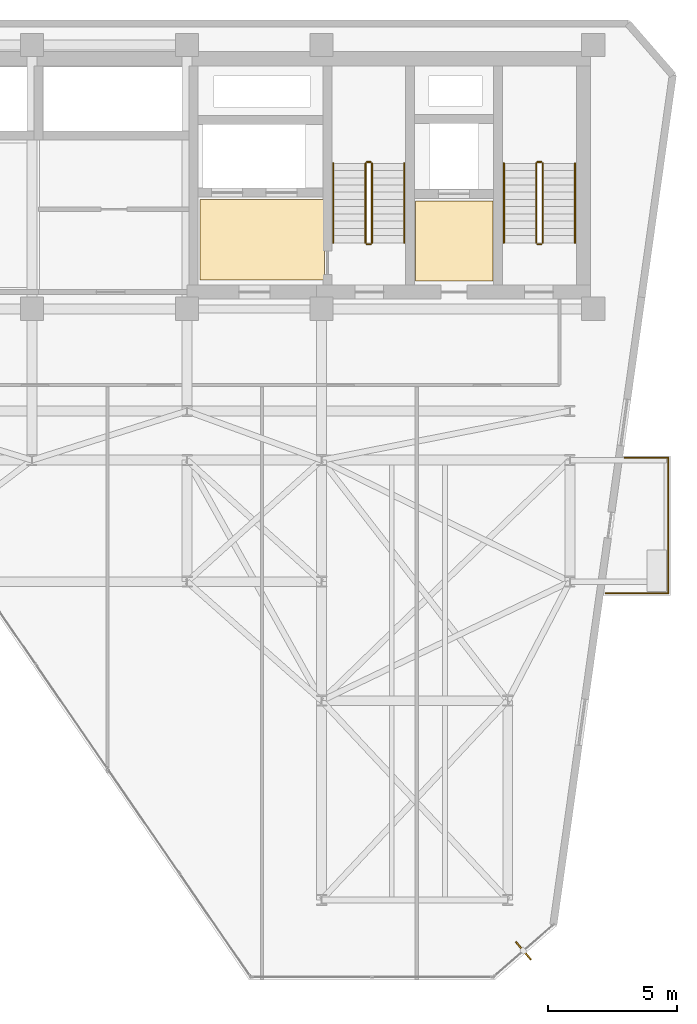
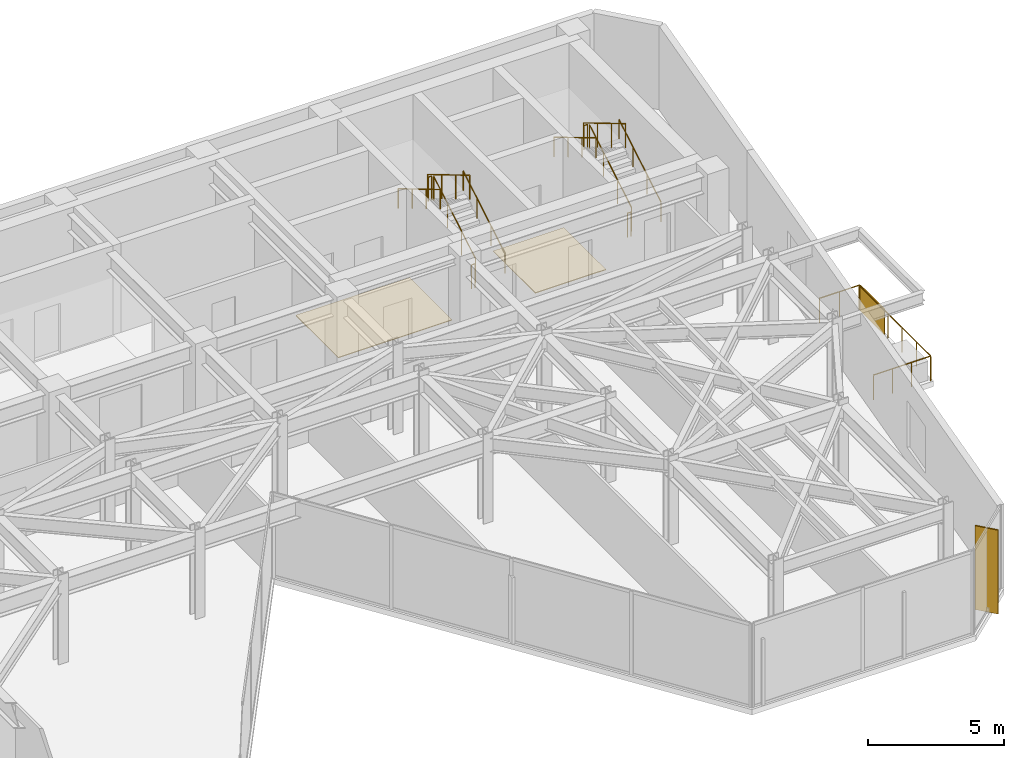
# One storey, part 26 of 26: 15 railings, 2 coverings, 2 shading devices.
"""IFC4 building model written with IfcOpenShell, lengths in metres."""

from ifc_helpers import new_model, si_unit, direction, frame, origin, origin_2d, place, context, subcontext, project, spatial, polyline, rectangle, circle, outline, extrude, material, layer, layer_set, type_object, element, save


model = new_model("IFC4")

# Units and contexts
model_context = context("Model", 3, precision=1e-05, world=origin(), true_north=direction((0.0, 1.0)))
body_context = subcontext(model_context, "Body", "Model", "MODEL_VIEW")
ifc_project = project(units=[si_unit("LENGTHUNIT", "METRE"), si_unit("AREAUNIT", "SQUARE_METRE"), si_unit("VOLUMEUNIT", "CUBIC_METRE"), si_unit("PLANEANGLEUNIT", "RADIAN"), si_unit("MASSUNIT", "GRAM", prefix="KILO")], contexts=[model_context])

# Site, building, storey
site_placement = place(None, origin())
site = spatial("IfcSite", under=ifc_project, at=site_placement, CompositionType="ELEMENT")
building_placement = place(site_placement, origin())
building = spatial("IfcBuilding", under=site, at=building_placement, Name="Kravanh Interchange Tower", CompositionType="ELEMENT")
storey_placement = place(building_placement, frame((0.0, 0.0, 172.5)))
storey = spatial("IfcBuildingStorey", under=building, at=storey_placement, Name="L41", CompositionType="ELEMENT", Elevation=172.5)

# Coverings
ifc_material_1 = material(Name="Cementitious Terrazzo Tile")
ifc_layer_1 = layer(ifc_material_1, 0.030029296875)
ifc_layer_set_1 = layer_set([ifc_layer_1], Name="Honed Terrazzo Lobby Flooring 30mm")
covering_type = type_object("IfcCoveringType", Name="Honed Terrazzo Lobby Flooring 30mm", PredefinedType="FLOORING", material=ifc_layer_set_1)
covering_1_placement = place(storey_placement, origin())
element("IfcCovering", 1, at=covering_1_placement, inside=storey, type_object=covering_type, Name="L41 Service Lift Lobby Floor Finish", PredefinedType="FLOORING", context=body_context, shape_type="SweptSolid", body=[
    extrude(outline(polyline([(59.6298828125, 41.52001953125), (62.6201171875, 41.52001953125), (62.6201171875, 38.429931640625), (59.6298828125, 38.429931640625), (59.6298828125, 41.52001953125)])), origin(), (0.0, 0.0, 1.0), 0.030029296875),
])
covering_2_placement = place(storey_placement, origin())
element("IfcCovering", 2, at=covering_2_placement, inside=storey, type_object=covering_type, Name="L41 Firefighting Lobby Floor Finish", PredefinedType="FLOORING", context=body_context, shape_type="SweptSolid", body=[
    extrude(outline(polyline([(56.1201171875, 38.4599609375), (51.300048828125, 38.4599609375), (51.300048828125, 41.580078125), (56.1201171875, 41.580078125), (56.1201171875, 38.4599609375)])), origin(), (0.0, 0.0, 1.0), 0.030029296875),
])

# Shading device
ifc_material_2 = material(Name="Perforated Anodised Bronze Aluminium", Category="aluminium")
ifc_layer_2 = layer(ifc_material_2, 0.0400390625)
ifc_layer_set_2 = layer_set([ifc_layer_2], Name="Perforated Bronze Balcony Privacy Screen 1150mm")
shading_device_type_1 = type_object("IfcShadingDeviceType", Name="Perforated Bronze Balcony Privacy Screen 1150mm", PredefinedType="USERDEFINED", material=ifc_layer_set_2)
shading_device_1_placement = place(storey_placement, frame((69.405029296875, 30.6201171875, 0.0), z_axis=(0.0, 0.0, 1.0), x_axis=(1.0, 0.0, 0.0)))
element("IfcShadingDevice", 3, at=shading_device_1_placement, inside=storey, type_object=shading_device_type_1, Name="L41 E Perforated Bronze BALCONY SCREEN", ObjectType="SCREEN", PredefinedType="USERDEFINED", context=body_context, shape_type="SweptSolid", body=[
    extrude(rectangle(XDim=0.0400390625, YDim=1.800048828125, at=origin_2d()), origin(), (0.0, 0.0, 1.0), 1.14990234375),
])

# Railings
ifc_material_3 = material(Name="Stainless Steel 316", Category="steel")
ifc_layer_3 = layer(ifc_material_3, 0.06005859375)
ifc_layer_set_3 = layer_set([ifc_layer_3], Name="Perimeter Balcony and Terrace Guardrail Stainless 316 1120mm")
railing_type_1 = type_object("IfcRailingType", Name="Perimeter Balcony and Terrace Guardrail Stainless 316 1120mm", PredefinedType="GUARDRAIL", material=ifc_layer_set_3)
railing_1_placement = place(storey_placement, frame((69.405029296875, 31.590087890625, 0.0)))
element("IfcRailing", 4, at=railing_1_placement, inside=storey, type_object=railing_type_1, Name="L41 E Balcony Guardrail 1", PredefinedType="GUARDRAIL", context=body_context, shape_type="SweptSolid", body=[
    extrude(circle(Radius=0.02392578125, at=origin_2d()), frame((0.0, 0.0, 1.09619140625), z_axis=(0.0, -1.0, 0.0), x_axis=(1.0, 0.0, 0.0)), (0.0, 0.0, 1.0), 5.239990234375),
    extrude(circle(Radius=0.02099609375, at=origin_2d()), origin(), (0.0, 0.0, 1.0), 1.072021484375),
    extrude(circle(Radius=0.02099609375, at=origin_2d()), frame((0.0, -1.048095703125, 0.0)), (0.0, 0.0, 1.0), 1.072021484375),
    extrude(circle(Radius=0.02099609375, at=origin_2d()), frame((0.0, -2.095947265625, 0.0)), (0.0, 0.0, 1.0), 1.072021484375),
    extrude(circle(Radius=0.02099609375, at=origin_2d()), frame((0.0, -3.14404296875, 0.0)), (0.0, 0.0, 1.0), 1.072021484375),
    extrude(circle(Radius=0.02099609375, at=origin_2d()), frame((0.0, -4.19189453125, 0.0)), (0.0, 0.0, 1.0), 1.072021484375),
    extrude(circle(Radius=0.02099609375, at=origin_2d()), frame((0.0, -5.239990234375, 0.0)), (0.0, 0.0, 1.0), 1.072021484375),
])
railing_2_placement = place(storey_placement, frame((69.405029296875, 26.35009765625, 0.0)))
element("IfcRailing", 5, at=railing_2_placement, inside=storey, type_object=railing_type_1, Name="L41 E Balcony Guardrail 2", PredefinedType="GUARDRAIL", context=body_context, shape_type="SweptSolid", body=[
    extrude(circle(Radius=0.02392578125, at=origin_2d()), frame((0.0, 0.0, 1.09619140625), z_axis=(-1.0, 0.0, 0.0), x_axis=(0.0, -1.0, 0.0)), (0.0, 0.0, 1.0), 2.422119140625),
    extrude(circle(Radius=0.02099609375, at=origin_2d()), origin(), (0.0, 0.0, 1.0), 1.072021484375),
    extrude(circle(Radius=0.02099609375, at=origin_2d()), frame((-0.807373046875, 0.0, 0.0)), (0.0, 0.0, 1.0), 1.072021484375),
    extrude(circle(Radius=0.02099609375, at=origin_2d()), frame((-1.61474609375, 0.0, 0.0)), (0.0, 0.0, 1.0), 1.072021484375),
    extrude(circle(Radius=0.02099609375, at=origin_2d()), frame((-2.422119140625, 0.0, 0.0)), (0.0, 0.0, 1.0), 1.072021484375),
])
railing_3_placement = place(storey_placement, frame((67.71923828125, 31.590087890625, 0.0)))
element("IfcRailing", 6, at=railing_3_placement, inside=storey, type_object=railing_type_1, Name="L41 E Balcony Guardrail 3", PredefinedType="GUARDRAIL", context=body_context, shape_type="SweptSolid", body=[
    extrude(circle(Radius=0.02392578125, at=origin_2d()), frame((0.0, 0.0, 1.09619140625), z_axis=(1.0, 0.0, 0.0), x_axis=(0.0, 1.0, 0.0)), (0.0, 0.0, 1.0), 1.685791015625),
    extrude(circle(Radius=0.02099609375, at=origin_2d()), origin(), (0.0, 0.0, 1.0), 1.072021484375),
    extrude(circle(Radius=0.02099609375, at=origin_2d()), frame((0.8427734375, 0.0, 0.0)), (0.0, 0.0, 1.0), 1.072021484375),
    extrude(circle(Radius=0.02099609375, at=origin_2d()), frame((1.685791015625, 0.0, 0.0)), (0.0, 0.0, 1.0), 1.072021484375),
])
ifc_material_4 = material(Name="Structural Steel S355", Category="steel")
ifc_layer_4 = layer(ifc_material_4, 0.050048828125)
ifc_layer_set_4 = layer_set([ifc_layer_4], Name="Stair Well Guardrail Structural Steel S355 1100mm")
railing_type_2 = type_object("IfcRailingType", Name="Stair Well Guardrail Structural Steel S355 1100mm", PredefinedType="GUARDRAIL", material=ifc_layer_set_4)
railing_4_placement = place(storey_placement, frame((64.550048828125, 39.89990234375, 0.166748046875)))
element("IfcRailing", 7, at=railing_4_placement, inside=storey, type_object=railing_type_2, Name="L41 ST1 stair guard 1", PredefinedType="GUARDRAIL", context=body_context, shape_type="SweptSolid", body=[
    extrude(circle(Radius=0.02392578125, at=origin_2d()), frame((0.0, 0.0, 1.076171875), z_axis=(0.0, 0.859308565015, 0.511457515432), x_axis=(-1.0, 0.0, 0.0)), (0.0, 0.0, 1.0), 3.58447265625),
    extrude(circle(Radius=0.02099609375, at=origin_2d()), origin(), (0.0, 0.0, 1.0), 1.052001953125),
    extrude(circle(Radius=0.02099609375, at=origin_2d()), frame((0.0, 1.026611328125, 0.611083984375)), (0.0, 0.0, 1.0), 1.052001953125),
    extrude(circle(Radius=0.02099609375, at=origin_2d()), frame((0.0, 2.053466796875, 1.22216796875)), (0.0, 0.0, 1.0), 1.052001953125),
    extrude(circle(Radius=0.02099609375, at=origin_2d()), frame((0.0, 3.080078125, 1.833251953125)), (0.0, 0.0, 1.0), 1.052001953125),
])
railing_5_placement = place(storey_placement, frame((64.5, 43.030029296875, 2.0)))
element("IfcRailing", 8, at=railing_5_placement, inside=storey, type_object=railing_type_2, Name="L41 ST1 stair guard 2", PredefinedType="GUARDRAIL", context=body_context, shape_type="SweptSolid", body=[
    extrude(circle(Radius=0.02392578125, at=origin_2d()), frame((0.0, 0.0, 1.076171875), z_axis=(-1.0, 0.0, 0.0), x_axis=(0.0, -1.0, 0.0)), (0.0, 0.0, 1.0), 0.14990234375),
    extrude(circle(Radius=0.02099609375, at=origin_2d()), origin(), (0.0, 0.0, 1.0), 1.052001953125),
    extrude(circle(Radius=0.02099609375, at=origin_2d()), frame((-0.14990234375, 0.0, 0.0)), (0.0, 0.0, 1.0), 1.052001953125),
])
railing_6_placement = place(storey_placement, frame((64.300048828125, 42.97998046875, 2.166748046875)))
element("IfcRailing", 9, at=railing_6_placement, inside=storey, type_object=railing_type_2, Name="L41 ST1 stair guard 3", PredefinedType="GUARDRAIL", context=body_context, shape_type="SweptSolid", body=[
    extrude(circle(Radius=0.02392578125, at=origin_2d()), frame((0.0, 0.0, 1.076171875), z_axis=(0.0, -0.859308565015, 0.511457515432), x_axis=(1.0, 0.0, 0.0)), (0.0, 0.0, 1.0), 3.58447265625),
    extrude(circle(Radius=0.02099609375, at=origin_2d()), origin(), (0.0, 0.0, 1.0), 1.052001953125),
    extrude(circle(Radius=0.02099609375, at=origin_2d()), frame((0.0, -1.026611328125, 0.611083984375)), (0.0, 0.0, 1.0), 1.052001953125),
    extrude(circle(Radius=0.02099609375, at=origin_2d()), frame((0.0, -2.053466796875, 1.22216796875)), (0.0, 0.0, 1.0), 1.052001953125),
    extrude(circle(Radius=0.02099609375, at=origin_2d()), frame((0.0, -3.080078125, 1.833251953125)), (0.0, 0.0, 1.0), 1.052001953125),
])
railing_7_placement = place(storey_placement, frame((64.5, 39.85009765625, 0.0)))
element("IfcRailing", 10, at=railing_7_placement, inside=storey, type_object=railing_type_2, Name="L41 ST1 stair guard 4", PredefinedType="GUARDRAIL", context=body_context, shape_type="SweptSolid", body=[
    extrude(circle(Radius=0.02392578125, at=origin_2d()), frame((0.0, 0.0, 1.076171875), z_axis=(-1.0, 0.0, 0.0), x_axis=(0.0, -1.0, 0.0)), (0.0, 0.0, 1.0), 0.14990234375),
    extrude(circle(Radius=0.02099609375, at=origin_2d()), origin(), (0.0, 0.0, 1.0), 1.052001953125),
    extrude(circle(Radius=0.02099609375, at=origin_2d()), frame((-0.14990234375, 0.0, 0.0)), (0.0, 0.0, 1.0), 1.052001953125),
])
railing_8_placement = place(storey_placement, frame((57.949951171875, 39.89990234375, 0.166748046875)))
element("IfcRailing", 11, at=railing_8_placement, inside=storey, type_object=railing_type_2, Name="L41 ST2 stair guard 1", PredefinedType="GUARDRAIL", context=body_context, shape_type="SweptSolid", body=[
    extrude(circle(Radius=0.02392578125, at=origin_2d()), frame((0.0, 0.0, 1.076171875), z_axis=(0.0, 0.859308565015, 0.511457515432), x_axis=(-1.0, 0.0, 0.0)), (0.0, 0.0, 1.0), 3.58447265625),
    extrude(circle(Radius=0.02099609375, at=origin_2d()), origin(), (0.0, 0.0, 1.0), 1.052001953125),
    extrude(circle(Radius=0.02099609375, at=origin_2d()), frame((0.0, 1.026611328125, 0.611083984375)), (0.0, 0.0, 1.0), 1.052001953125),
    extrude(circle(Radius=0.02099609375, at=origin_2d()), frame((0.0, 2.053466796875, 1.22216796875)), (0.0, 0.0, 1.0), 1.052001953125),
    extrude(circle(Radius=0.02099609375, at=origin_2d()), frame((0.0, 3.080078125, 1.833251953125)), (0.0, 0.0, 1.0), 1.052001953125),
])
railing_9_placement = place(storey_placement, frame((57.89990234375, 43.030029296875, 2.0)))
element("IfcRailing", 12, at=railing_9_placement, inside=storey, type_object=railing_type_2, Name="L41 ST2 stair guard 2", PredefinedType="GUARDRAIL", context=body_context, shape_type="SweptSolid", body=[
    extrude(circle(Radius=0.02392578125, at=origin_2d()), frame((0.0, 0.0, 1.076171875), z_axis=(-1.0, 0.0, 0.0), x_axis=(0.0, -1.0, 0.0)), (0.0, 0.0, 1.0), 0.14990234375),
    extrude(circle(Radius=0.02099609375, at=origin_2d()), origin(), (0.0, 0.0, 1.0), 1.052001953125),
    extrude(circle(Radius=0.02099609375, at=origin_2d()), frame((-0.14990234375, 0.0, 0.0)), (0.0, 0.0, 1.0), 1.052001953125),
])
railing_10_placement = place(storey_placement, frame((57.699951171875, 42.97998046875, 2.166748046875)))
element("IfcRailing", 13, at=railing_10_placement, inside=storey, type_object=railing_type_2, Name="L41 ST2 stair guard 3", PredefinedType="GUARDRAIL", context=body_context, shape_type="SweptSolid", body=[
    extrude(circle(Radius=0.02392578125, at=origin_2d()), frame((0.0, 0.0, 1.076171875), z_axis=(0.0, -0.859308565015, 0.511457515432), x_axis=(1.0, 0.0, 0.0)), (0.0, 0.0, 1.0), 3.58447265625),
    extrude(circle(Radius=0.02099609375, at=origin_2d()), origin(), (0.0, 0.0, 1.0), 1.052001953125),
    extrude(circle(Radius=0.02099609375, at=origin_2d()), frame((0.0, -1.026611328125, 0.611083984375)), (0.0, 0.0, 1.0), 1.052001953125),
    extrude(circle(Radius=0.02099609375, at=origin_2d()), frame((0.0, -2.053466796875, 1.22216796875)), (0.0, 0.0, 1.0), 1.052001953125),
    extrude(circle(Radius=0.02099609375, at=origin_2d()), frame((0.0, -3.080078125, 1.833251953125)), (0.0, 0.0, 1.0), 1.052001953125),
])
railing_11_placement = place(storey_placement, frame((57.89990234375, 39.85009765625, 0.0)))
element("IfcRailing", 14, at=railing_11_placement, inside=storey, type_object=railing_type_2, Name="L41 ST2 stair guard 4", PredefinedType="GUARDRAIL", context=body_context, shape_type="SweptSolid", body=[
    extrude(circle(Radius=0.02392578125, at=origin_2d()), frame((0.0, 0.0, 1.076171875), z_axis=(-1.0, 0.0, 0.0), x_axis=(0.0, -1.0, 0.0)), (0.0, 0.0, 1.0), 0.14990234375),
    extrude(circle(Radius=0.02099609375, at=origin_2d()), origin(), (0.0, 0.0, 1.0), 1.052001953125),
    extrude(circle(Radius=0.02099609375, at=origin_2d()), frame((-0.14990234375, 0.0, 0.0)), (0.0, 0.0, 1.0), 1.052001953125),
])
ifc_material_5 = material(Name="Stainless Steel 304", Category="steel")
ifc_layer_5 = layer(ifc_material_5, 0.044921875)
ifc_layer_set_5 = layer_set([ifc_layer_5], Name="Tubular Stair Handrail Stainless 304 900mm")
railing_type_3 = type_object("IfcRailingType", Name="Tubular Stair Handrail Stainless 304 900mm", PredefinedType="HANDRAIL", material=ifc_layer_set_5)
railing_12_placement = place(storey_placement, frame((65.800048828125, 39.89990234375, 0.166748046875)))
element("IfcRailing", 15, at=railing_12_placement, inside=storey, type_object=railing_type_3, Name="L41 ST1 stair handrail 1", PredefinedType="HANDRAIL", context=body_context, shape_type="SweptSolid", body=[
    extrude(circle(Radius=0.02392578125, at=origin_2d()), frame((0.0, 0.0, 0.8759765625), z_axis=(0.0, 0.859308565015, 0.511457515432), x_axis=(-1.0, 0.0, 0.0)), (0.0, 0.0, 1.0), 3.58447265625),
    extrude(circle(Radius=0.02099609375, at=origin_2d()), origin(), (0.0, 0.0, 1.0), 0.851806640625),
    extrude(circle(Radius=0.02099609375, at=origin_2d()), frame((0.0, 1.026611328125, 0.611083984375)), (0.0, 0.0, 1.0), 0.851806640625),
    extrude(circle(Radius=0.02099609375, at=origin_2d()), frame((0.0, 2.053466796875, 1.22216796875)), (0.0, 0.0, 1.0), 0.851806640625),
    extrude(circle(Radius=0.02099609375, at=origin_2d()), frame((0.0, 3.080078125, 1.833251953125)), (0.0, 0.0, 1.0), 0.851806640625),
])
railing_13_placement = place(storey_placement, frame((63.050048828125, 42.97998046875, 2.166748046875)))
element("IfcRailing", 16, at=railing_13_placement, inside=storey, type_object=railing_type_3, Name="L41 ST1 stair handrail 2", PredefinedType="HANDRAIL", context=body_context, shape_type="SweptSolid", body=[
    extrude(circle(Radius=0.02392578125, at=origin_2d()), frame((0.0, 0.0, 0.8759765625), z_axis=(0.0, -0.859308565015, 0.511457515432), x_axis=(1.0, 0.0, 0.0)), (0.0, 0.0, 1.0), 3.58447265625),
    extrude(circle(Radius=0.02099609375, at=origin_2d()), origin(), (0.0, 0.0, 1.0), 0.851806640625),
    extrude(circle(Radius=0.02099609375, at=origin_2d()), frame((0.0, -1.026611328125, 0.611083984375)), (0.0, 0.0, 1.0), 0.851806640625),
    extrude(circle(Radius=0.02099609375, at=origin_2d()), frame((0.0, -2.053466796875, 1.22216796875)), (0.0, 0.0, 1.0), 0.851806640625),
    extrude(circle(Radius=0.02099609375, at=origin_2d()), frame((0.0, -3.080078125, 1.833251953125)), (0.0, 0.0, 1.0), 0.851806640625),
])
railing_14_placement = place(storey_placement, frame((59.199951171875, 39.89990234375, 0.166748046875)))
element("IfcRailing", 17, at=railing_14_placement, inside=storey, type_object=railing_type_3, Name="L41 ST2 stair handrail 1", PredefinedType="HANDRAIL", context=body_context, shape_type="SweptSolid", body=[
    extrude(circle(Radius=0.02392578125, at=origin_2d()), frame((0.0, 0.0, 0.8759765625), z_axis=(0.0, 0.859308565015, 0.511457515432), x_axis=(-1.0, 0.0, 0.0)), (0.0, 0.0, 1.0), 3.58447265625),
    extrude(circle(Radius=0.02099609375, at=origin_2d()), origin(), (0.0, 0.0, 1.0), 0.851806640625),
    extrude(circle(Radius=0.02099609375, at=origin_2d()), frame((0.0, 1.026611328125, 0.611083984375)), (0.0, 0.0, 1.0), 0.851806640625),
    extrude(circle(Radius=0.02099609375, at=origin_2d()), frame((0.0, 2.053466796875, 1.22216796875)), (0.0, 0.0, 1.0), 0.851806640625),
    extrude(circle(Radius=0.02099609375, at=origin_2d()), frame((0.0, 3.080078125, 1.833251953125)), (0.0, 0.0, 1.0), 0.851806640625),
])
railing_15_placement = place(storey_placement, frame((56.449951171875, 42.97998046875, 2.166748046875)))
element("IfcRailing", 18, at=railing_15_placement, inside=storey, type_object=railing_type_3, Name="L41 ST2 stair handrail 2", PredefinedType="HANDRAIL", context=body_context, shape_type="SweptSolid", body=[
    extrude(circle(Radius=0.02392578125, at=origin_2d()), frame((0.0, 0.0, 0.8759765625), z_axis=(0.0, -0.859308565015, 0.511457515432), x_axis=(1.0, 0.0, 0.0)), (0.0, 0.0, 1.0), 3.58447265625),
    extrude(circle(Radius=0.02099609375, at=origin_2d()), origin(), (0.0, 0.0, 1.0), 0.851806640625),
    extrude(circle(Radius=0.02099609375, at=origin_2d()), frame((0.0, -1.026611328125, 0.611083984375)), (0.0, 0.0, 1.0), 0.851806640625),
    extrude(circle(Radius=0.02099609375, at=origin_2d()), frame((0.0, -2.053466796875, 1.22216796875)), (0.0, 0.0, 1.0), 0.851806640625),
    extrude(circle(Radius=0.02099609375, at=origin_2d()), frame((0.0, -3.080078125, 1.833251953125)), (0.0, 0.0, 1.0), 0.851806640625),
])

# Shading device
ifc_material_6 = material(Name="Anodised Champagne Bronze Aluminium", Category="aluminium")
ifc_layer_6 = layer(ifc_material_6, 0.06005859375)
ifc_layer_set_6 = layer_set([ifc_layer_6], Name="Vertical Bronze Solar Fin 900mm")
shading_device_type_2 = type_object("IfcShadingDeviceType", Name="Vertical Bronze Solar Fin 900mm", PredefinedType="USERDEFINED", material=ifc_layer_set_6)
shading_device_2_placement = place(storey_placement, frame((63.80322265625, 12.530517578125, 0.0), z_axis=(0.0, 0.0, 1.0), x_axis=(0.656059988016, -0.754708746554, 0.0)))
element("IfcShadingDevice", 19, at=shading_device_2_placement, inside=storey, type_object=shading_device_type_2, Name="L41 BRONZE SOLAR FIN 2", ObjectType="FIN", PredefinedType="USERDEFINED", context=body_context, shape_type="SweptSolid", body=[
    extrude(rectangle(XDim=0.89990234375, YDim=0.06005859375, at=origin_2d()), origin(), (0.0, 0.0, 1.0), 3.7548828125),
])

save(model, "model.ifc")
